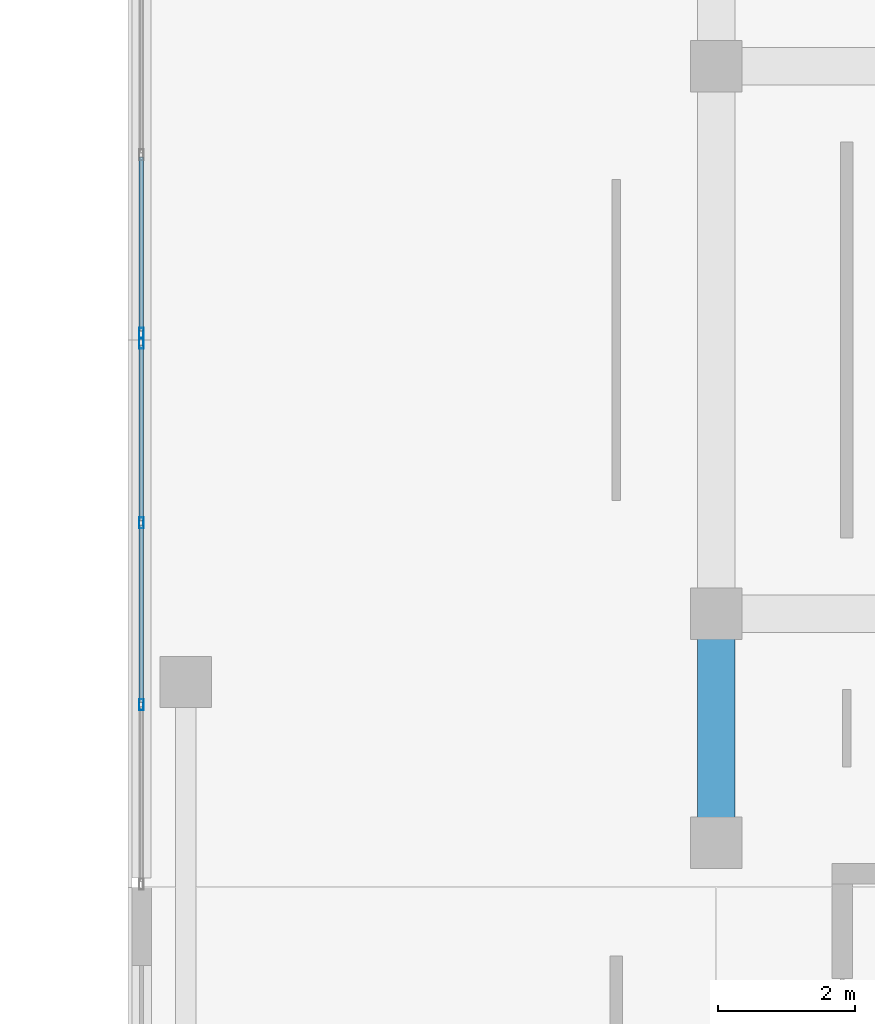
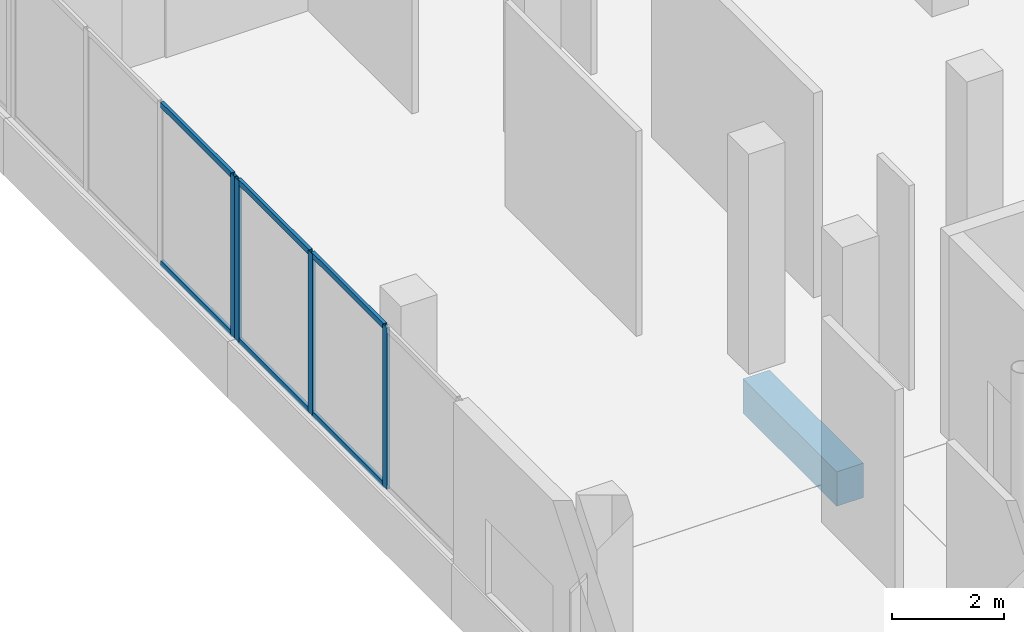
# One storey, part 59 of 155: 10 members, 1 beam, 2 elements without a shape of their own.
"""IFC4 building model written with IfcOpenShell, lengths in metres."""

from ifc_helpers import new_model, si_unit, direction, frame, origin, origin_2d, place, context, subcontext, project, spatial, rectangle, hollow_rectangle, extrude, material, material_profile, profile_set, type_object, element, aggregate, save


model = new_model("IFC4")

# Units and contexts
model_context = context("Model", 3, precision=1e-05, world=origin(), true_north=direction((0.0, 1.0)))
body_context = subcontext(model_context, "Body", "Model", "MODEL_VIEW")
ifc_project = project(units=[si_unit("LENGTHUNIT", "METRE"), si_unit("AREAUNIT", "SQUARE_METRE"), si_unit("VOLUMEUNIT", "CUBIC_METRE"), si_unit("PLANEANGLEUNIT", "RADIAN"), si_unit("MASSUNIT", "GRAM", prefix="KILO")], contexts=[model_context])

# Site, building, storey
site_placement = place(None, origin())
site = spatial("IfcSite", under=ifc_project, at=site_placement, CompositionType="ELEMENT")
building_placement = place(site_placement, origin())
building = spatial("IfcBuilding", under=site, at=building_placement, Name="Selatvlak General Hospital", CompositionType="ELEMENT")
storey_placement = place(building_placement, frame((0.0, 0.0, 10.199951171875)))
storey = spatial("IfcBuildingStorey", under=building, at=storey_placement, Name="L02", CompositionType="ELEMENT", Elevation=10.199951171875)

# Beam
ifc_material_1 = material(Name="Concrete C40/50", Category="concrete")
ifc_material_profile_1 = material_profile(ifc_material_1, rectangle(XDim=0.550048828125, YDim=0.75, at=origin_2d()), Name="RC-BM 550x750")
ifc_profile_set_1 = profile_set([ifc_material_profile_1], Name="Concrete C40/50")
beam_type = type_object("IfcBeamType", Name="BM-G02", PredefinedType="BEAM", material=ifc_profile_set_1)
beam_placement = place(storey_placement, frame((22.800048828125, 88.64990234375, -0.72998046875), z_axis=(0.0, 1.0, 0.0), x_axis=(-1.0, 0.0, 0.0)))
element("IfcBeam", 1, at=beam_placement, inside=storey, type_object=beam_type, Name="Beam BMR-L02-0929", PredefinedType="BEAM", context=body_context, shape_type="SweptSolid", body=[
    extrude(rectangle(XDim=0.550048828125, YDim=0.75, at=origin_2d()), origin(), (0.0, 0.0, 1.0), 3.35009765625),
])

# Curtain wall, members
ifc_material_2 = material(Name="Solar-control Low-E double glazing", Category="glass")
curtain_wall_type_1 = type_object("IfcCurtainWallType", Name="CW-CW-02", PredefinedType="USERDEFINED", material=ifc_material_2)
curtain_wall_1_placement = place(storey_placement, origin())
curtain_wall_1 = element("IfcCurtainWall", 2, at=curtain_wall_1_placement, inside=storey, type_object=curtain_wall_type_1, Name="Glazed facade curtain wall CW-L02-0239", ObjectType="UNITISED CURTAIN WALL", PredefinedType="USERDEFINED")
ifc_material_3 = material(Name="Dark anodised aluminium mullion", Category="aluminium")
ifc_material_profile_2 = material_profile(ifc_material_3, hollow_rectangle(XDim=0.06494140625, YDim=0.159912109375, WallThickness=0.00390625, at=origin_2d()), Name="AL-MUL 65x160x4")
ifc_profile_set_2 = profile_set([ifc_material_profile_2], Name="Dark anodised aluminium mullion")
member_type_1 = type_object("IfcMemberType", Name="CWM-01", PredefinedType="MULLION", material=ifc_profile_set_2)
member_1_placement = place(storey_placement, frame((14.39990234375, 90.670654296875, 0.93994140625), z_axis=(0.0, 0.0, 1.0), x_axis=(-1.0, 0.0, 0.0)))
member_1 = element("IfcMember", 3, at=member_1_placement, type_object=member_type_1, Name="CW-02 mullion 2", PredefinedType="MULLION", context=body_context, shape_type="SweptSolid", body=[
    extrude(hollow_rectangle(XDim=0.06494140625, YDim=0.159912109375, WallThickness=0.00390625, at=origin_2d()), origin(), (0.0, 0.0, 1.0), 3.52001953125),
])
member_2_placement = place(storey_placement, frame((14.39990234375, 93.327392578125, 0.93994140625), z_axis=(0.0, 0.0, 1.0), x_axis=(-1.0, 0.0, 0.0)))
member_2 = element("IfcMember", 4, at=member_2_placement, type_object=member_type_1, Name="CW-02 mullion 3", PredefinedType="MULLION", context=body_context, shape_type="SweptSolid", body=[
    extrude(hollow_rectangle(XDim=0.06494140625, YDim=0.159912109375, WallThickness=0.00390625, at=origin_2d()), origin(), (0.0, 0.0, 1.0), 3.52001953125),
])
member_3_placement = place(storey_placement, frame((14.39990234375, 95.951416015625, 0.93994140625), z_axis=(0.0, 0.0, 1.0), x_axis=(-1.0, 0.0, 0.0)))
member_3 = element("IfcMember", 5, at=member_3_placement, type_object=member_type_1, Name="CW-02 mullion 4", PredefinedType="MULLION", context=body_context, shape_type="SweptSolid", body=[
    extrude(hollow_rectangle(XDim=0.06494140625, YDim=0.159912109375, WallThickness=0.00390625, at=origin_2d()), origin(), (0.0, 0.0, 1.0), 3.52001953125),
])

# Curtain wall, member
curtain_wall_type_2 = type_object("IfcCurtainWallType", Name="CW-CW-01", PredefinedType="USERDEFINED", material=ifc_material_2)
curtain_wall_2_placement = place(storey_placement, origin())
curtain_wall_2 = element("IfcCurtainWall", 6, at=curtain_wall_2_placement, inside=storey, type_object=curtain_wall_type_2, Name="Glazed facade curtain wall CW-L02-0240", ObjectType="UNITISED CURTAIN WALL", PredefinedType="USERDEFINED")
member_4_placement = place(storey_placement, frame((14.39990234375, 96.096435546875, 0.93994140625), z_axis=(0.0, 0.0, 1.0), x_axis=(-1.0, 0.0, 0.0)))
member_4 = element("IfcMember", 7, at=member_4_placement, type_object=member_type_1, Name="CW-01 mullion 1", PredefinedType="MULLION", context=body_context, shape_type="SweptSolid", body=[
    extrude(hollow_rectangle(XDim=0.06494140625, YDim=0.159912109375, WallThickness=0.00390625, at=origin_2d()), origin(), (0.0, 0.0, 1.0), 3.52001953125),
])

# Member
ifc_material_profile_3 = material_profile(ifc_material_3, hollow_rectangle(XDim=0.06494140625, YDim=0.1201171875, WallThickness=0.00390625, at=origin_2d()), Name="AL-TRN 65x120x4")
ifc_profile_set_3 = profile_set([ifc_material_profile_3], Name="Dark anodised aluminium mullion")
member_type_2 = type_object("IfcMemberType", Name="CWT-01", PredefinedType="USERDEFINED", material=ifc_profile_set_3)
member_5_placement = place(storey_placement, frame((14.39990234375, 90.703125, 0.97265625), z_axis=(0.0, 1.0, 0.0), x_axis=(-1.0, 0.0, 0.0)))
member_5 = element("IfcMember", 8, at=member_5_placement, type_object=member_type_2, Name="CW-02 transom 2.1", ObjectType="TRANSOM", PredefinedType="USERDEFINED", context=body_context, shape_type="SweptSolid", body=[
    extrude(hollow_rectangle(XDim=0.06494140625, YDim=0.1201171875, WallThickness=0.00390625, at=origin_2d()), origin(), (0.0, 0.0, 1.0), 2.591796875),
])

member_6_placement = place(storey_placement, frame((14.39990234375, 90.703125, 4.427490234375), z_axis=(0.0, 1.0, 0.0), x_axis=(-1.0, 0.0, 0.0)))
member_6 = element("IfcMember", 9, at=member_6_placement, type_object=member_type_2, Name="CW-02 transom 2.2", ObjectType="TRANSOM", PredefinedType="USERDEFINED", context=body_context, shape_type="SweptSolid", body=[
    extrude(hollow_rectangle(XDim=0.06494140625, YDim=0.1201171875, WallThickness=0.00390625, at=origin_2d()), origin(), (0.0, 0.0, 1.0), 2.591796875),
])

member_7_placement = place(storey_placement, frame((14.39990234375, 93.35986328125, 0.97265625), z_axis=(0.0, 1.0, 0.0), x_axis=(-1.0, 0.0, 0.0)))
member_7 = element("IfcMember", 10, at=member_7_placement, type_object=member_type_2, Name="CW-02 transom 3.1", ObjectType="TRANSOM", PredefinedType="USERDEFINED", context=body_context, shape_type="SweptSolid", body=[
    extrude(hollow_rectangle(XDim=0.06494140625, YDim=0.1201171875, WallThickness=0.00390625, at=origin_2d()), origin(), (0.0, 0.0, 1.0), 2.55908203125),
])

member_8_placement = place(storey_placement, frame((14.39990234375, 93.35986328125, 4.427490234375), z_axis=(0.0, 1.0, 0.0), x_axis=(-1.0, 0.0, 0.0)))
member_8 = element("IfcMember", 11, at=member_8_placement, type_object=member_type_2, Name="CW-02 transom 3.2", ObjectType="TRANSOM", PredefinedType="USERDEFINED", context=body_context, shape_type="SweptSolid", body=[
    extrude(hollow_rectangle(XDim=0.06494140625, YDim=0.1201171875, WallThickness=0.00390625, at=origin_2d()), origin(), (0.0, 0.0, 1.0), 2.55908203125),
])

aggregate(curtain_wall_1, [member_1, member_2, member_3, member_5, member_6, member_7, member_8])

member_9_placement = place(storey_placement, frame((14.39990234375, 96.12890625, 0.97265625), z_axis=(0.0, 1.0, 0.0), x_axis=(-1.0, 0.0, 0.0)))
member_9 = element("IfcMember", 12, at=member_9_placement, type_object=member_type_2, Name="CW-01 transom 1.1", ObjectType="TRANSOM", PredefinedType="USERDEFINED", context=body_context, shape_type="SweptSolid", body=[
    extrude(hollow_rectangle(XDim=0.06494140625, YDim=0.1201171875, WallThickness=0.00390625, at=origin_2d()), origin(), (0.0, 0.0, 1.0), 2.54248046875),
])

member_10_placement = place(storey_placement, frame((14.39990234375, 96.12890625, 4.427490234375), z_axis=(0.0, 1.0, 0.0), x_axis=(-1.0, 0.0, 0.0)))
member_10 = element("IfcMember", 13, at=member_10_placement, type_object=member_type_2, Name="CW-01 transom 1.2", ObjectType="TRANSOM", PredefinedType="USERDEFINED", context=body_context, shape_type="SweptSolid", body=[
    extrude(hollow_rectangle(XDim=0.06494140625, YDim=0.1201171875, WallThickness=0.00390625, at=origin_2d()), origin(), (0.0, 0.0, 1.0), 2.54248046875),
])

aggregate(curtain_wall_2, [member_4, member_9, member_10])

save(model, "model.ifc")
